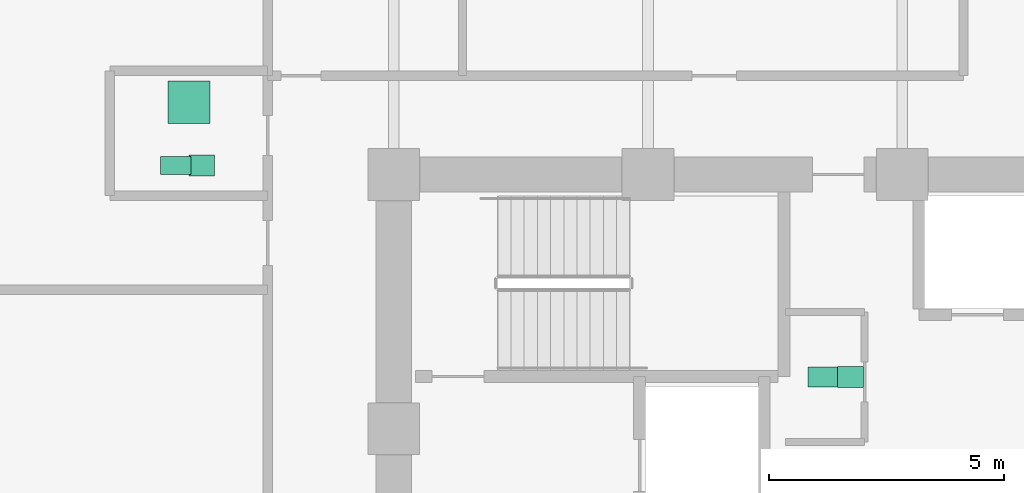
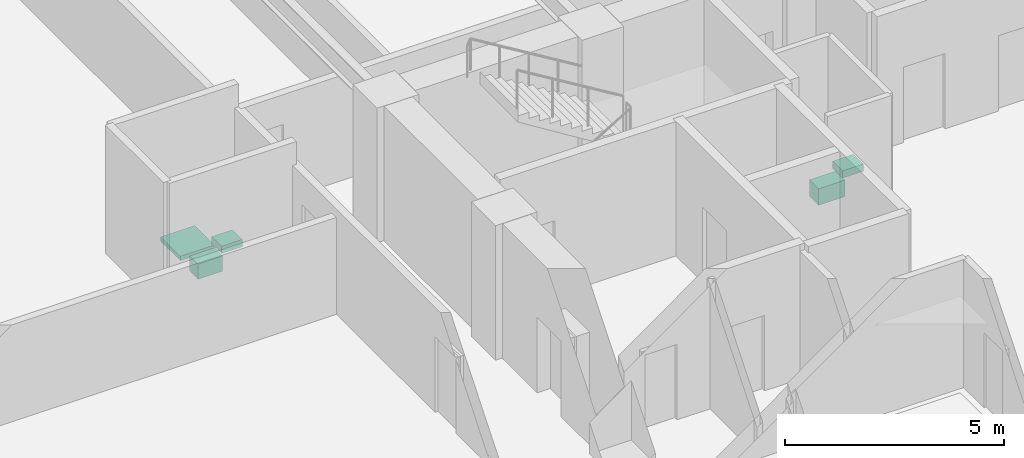
# One storey, part 29 of 29: 5 sanitary terminals.
"""IFC4 building model written with IfcOpenShell, lengths in metres."""

from ifc_helpers import new_model, si_unit, direction, frame, origin, origin_2d, place, context, subcontext, project, spatial, rectangle, extrude, material, type_object, element, save


model = new_model("IFC4")

# Units and contexts
model_context = context("Model", 3, precision=1e-05, world=origin(), true_north=direction((0.0, 1.0)))
body_context = subcontext(model_context, "Body", "Model", "MODEL_VIEW")
ifc_project = project(units=[si_unit("LENGTHUNIT", "METRE"), si_unit("AREAUNIT", "SQUARE_METRE"), si_unit("VOLUMEUNIT", "CUBIC_METRE"), si_unit("PLANEANGLEUNIT", "RADIAN"), si_unit("MASSUNIT", "GRAM", prefix="KILO")], contexts=[model_context])

# Site, building, storey
site_placement = place(None, origin())
site = spatial("IfcSite", under=ifc_project, at=site_placement, CompositionType="ELEMENT")
building_placement = place(site_placement, origin())
building = spatial("IfcBuilding", under=site, at=building_placement, Name="Surkhivell Harbour Commons", CompositionType="ELEMENT")
storey_placement = place(building_placement, frame((0.0, 0.0, 90.75)))
storey = spatial("IfcBuildingStorey", under=building, at=storey_placement, Name="L23", CompositionType="ELEMENT", Elevation=90.75)

# Sanitary terminals
ifc_material_1 = material(Name="Vitreous china washbasin", Category="other")
sanitary_terminal_type_1 = type_object("IfcSanitaryTerminalType", Name="SAN-BSN", PredefinedType="WASHHANDBASIN", material=ifc_material_1)
for number, where, z_axis, x_axis, name in (
    (1, (-1.10009765625, 6.5, 0.72021484375), (0.0, 0.0, 1.0), (1.0, 0.0, 0.0), "L23 Core Accessible WC Washbasin"),
    (2, (-14.8798828125, 10.989990234375, 0.72021484375), (0.0, 0.0, 1.0), (1.0, 0.0, 0.0), "L23 West Communal Bathroom WC Washbasin"),
):
    element("IfcSanitaryTerminal", number, at=place(storey_placement, frame(where, z_axis=z_axis, x_axis=x_axis)), inside=storey, type_object=sanitary_terminal_type_1, Name=name, PredefinedType="WASHHANDBASIN", context=body_context, shape_type="SweptSolid", body=[
        extrude(rectangle(XDim=0.550048828125, YDim=0.449951171875, at=origin_2d()), origin(), (0.0, 0.0, 1.0), 0.199951171875),
    ])
ifc_material_2 = material(Name="Glazed porcelain shower tray", Category="other")
sanitary_terminal_type_2 = type_object("IfcSanitaryTerminalType", Name="SAN-SHW", PredefinedType="SHOWER", material=ifc_material_2)
sanitary_terminal_1_placement = place(storey_placement, frame((-15.14990234375, 12.330078125, 0.0), z_axis=(0.0, 0.0, 1.0), x_axis=(1.0, 0.0, 0.0)))
element("IfcSanitaryTerminal", 3, at=sanitary_terminal_1_placement, inside=storey, type_object=sanitary_terminal_type_2, Name="L23 West Communal Shower Tray", PredefinedType="SHOWER", context=body_context, shape_type="SweptSolid", body=[
    extrude(rectangle(XDim=0.89990234375, YDim=0.89990234375, at=origin_2d()), origin(), (0.0, 0.0, 1.0), 0.1201171875),
])
ifc_material_3 = material(Name="Vitreous china sanitaryware", Category="other")
sanitary_terminal_type_3 = type_object("IfcSanitaryTerminalType", Name="SAN-WC-ACC", PredefinedType="TOILETPAN", material=ifc_material_3)
sanitary_terminal_2_placement = place(storey_placement, frame((-1.64990234375, 6.5, 0.169921875), z_axis=(0.0, 0.0, 1.0), x_axis=(1.0, 0.0, 0.0)))
element("IfcSanitaryTerminal", 4, at=sanitary_terminal_2_placement, inside=storey, type_object=sanitary_terminal_type_3, Name="L23 Core Accessible WC", PredefinedType="TOILETPAN", context=body_context, shape_type="SweptSolid", body=[
    extrude(rectangle(XDim=0.699951171875, YDim=0.419921875, at=origin_2d()), origin(), (0.0, 0.0, 1.0), 0.4599609375),
])
sanitary_terminal_type_4 = type_object("IfcSanitaryTerminalType", Name="SAN-WC-STD", PredefinedType="TOILETPAN", material=ifc_material_3)
sanitary_terminal_3_placement = place(storey_placement, frame((-15.429931640625, 10.989990234375, 0.18994140625), z_axis=(0.0, 0.0, 1.0), x_axis=(1.0, 0.0, 0.0)))
element("IfcSanitaryTerminal", 5, at=sanitary_terminal_3_placement, inside=storey, type_object=sanitary_terminal_type_4, Name="L23 West Communal Bathroom WC", PredefinedType="TOILETPAN", context=body_context, shape_type="SweptSolid", body=[
    extrude(rectangle(XDim=0.64990234375, YDim=0.3798828125, at=origin_2d()), origin(), (0.0, 0.0, 1.0), 0.419921875),
])

save(model, "model.ifc")
